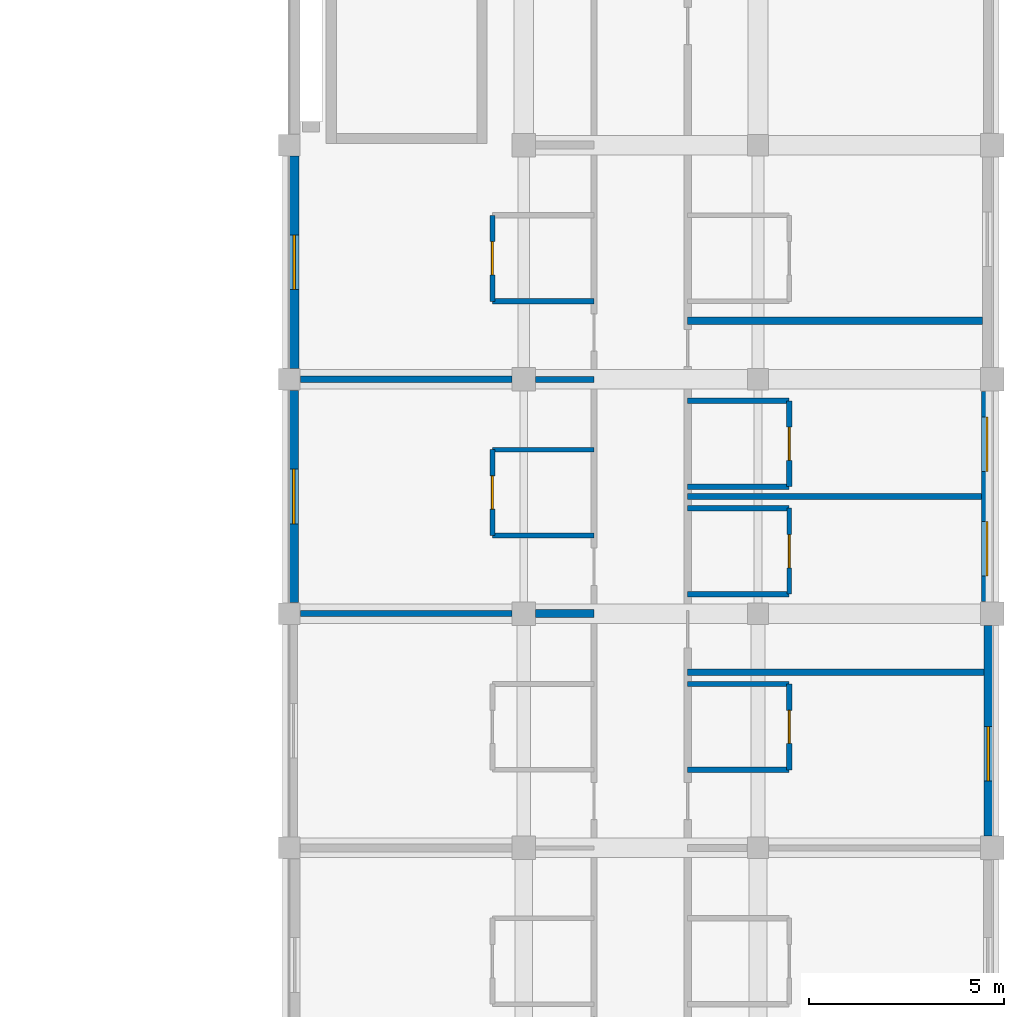
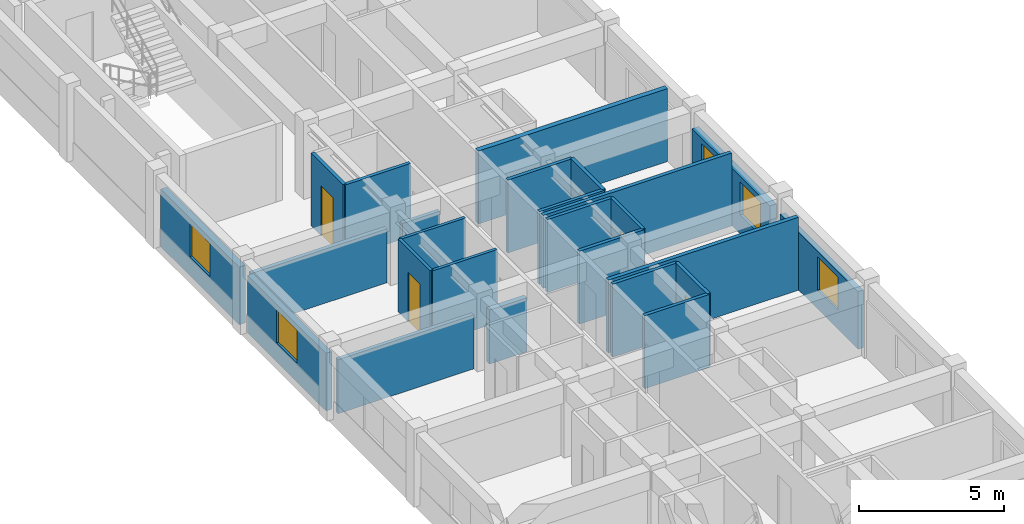
# One storey, part 5 of 22: 25 walls, 5 doors, 5 windows, 10 openings.
"""IFC4 building model written with IfcOpenShell, lengths in metres."""

from ifc_helpers import new_model, si_unit, direction, frame, frame_2d, origin, place, context, subcontext, project, spatial, rectangle, extrude, material, layer, layer_set, type_object, element, fill, save


model = new_model("IFC4")

# Units and contexts
model_context = context("Model", 3, precision=1e-05, world=origin(), true_north=direction((0.0, 1.0)))
body_context = subcontext(model_context, "Body", "Model", "MODEL_VIEW")
ifc_project = project(units=[si_unit("LENGTHUNIT", "METRE"), si_unit("AREAUNIT", "SQUARE_METRE"), si_unit("VOLUMEUNIT", "CUBIC_METRE"), si_unit("PLANEANGLEUNIT", "RADIAN"), si_unit("MASSUNIT", "GRAM", prefix="KILO"), si_unit("THERMODYNAMICTEMPERATUREUNIT", "KELVIN"), si_unit("POWERUNIT", "WATT")], contexts=[model_context])

# Site, building, storey
site_placement = place(None, origin())
site = spatial("IfcSite", under=ifc_project, at=site_placement, CompositionType="ELEMENT")
building_placement = place(site_placement, origin())
building = spatial("IfcBuilding", under=site, at=building_placement, Name="Phaisarnlok Congress Hotel", CompositionType="ELEMENT")
storey_placement = place(building_placement, frame((0.0, 0.0, 28.199951171875)))
storey = spatial("IfcBuildingStorey", under=building, at=storey_placement, Name="L06", CompositionType="ELEMENT", Elevation=28.199951171875)

# Wall, opening, window
ifc_material_1 = material(Name="Concrete C40/50", Category="concrete")
ifc_layer_1 = layer(ifc_material_1, 0.2099609375, Name="Concrete C40/50")
ifc_layer_set_1 = layer_set([ifc_layer_1], Name="Concrete C40/50")
wall_type_1 = type_object("IfcWallType", Name="WL-EXT-210", PredefinedType="SOLIDWALL", material=ifc_layer_set_1)
wall_1_placement = place(storey_placement, frame((179.89501953125, 60.304931640625, 0.0), z_axis=(0.0, 0.0, 1.0), x_axis=(0.0, 1.0, 0.0)))
wall_1 = element("IfcWall", 1, at=wall_1_placement, inside=storey, type_object=wall_type_1, Name="Exterior wall EW-07 (L06)", PredefinedType="SOLIDWALL", context=body_context, shape_type="SweptSolid", body=[
    extrude(rectangle(XDim=5.39013671875, YDim=0.2099609375, at=frame_2d((2.695068359375, 0.0))), origin(), (0.0, 0.0, 1.0), 2.429931640625),
])
opening_1_placement = place(wall_1_placement, frame((1.406982421875, 0.0, 0.800048828125)))
opening_1 = element("IfcOpeningElement", 2, at=opening_1_placement, cuts=wall_1, Name="Opening W-13", PredefinedType="OPENING", context=body_context, shape_type="SweptSolid", body=[
    extrude(rectangle(XDim=1.39990234375, YDim=1.39990234375, at=frame_2d((0.699951171875, 0.699951171875))), frame((0.0, 0.114990234375, 0.0), z_axis=(0.0, -1.0, 0.0), x_axis=(1.0, 0.0, 0.0)), (0.0, 0.0, 1.0), 0.22998046875),
])
ifc_material_2 = material(Name="Thermally Broken Aluminium & Low-E Double Glazing", Category="aluminium")
window_type = type_object("IfcWindowType", Name="WIN-POD-1400", PartitioningType="SINGLE_PANEL", PredefinedType="WINDOW", material=ifc_material_2)
window_1_placement = place(opening_1_placement, origin())
window_1 = element("IfcWindow", 3, at=window_1_placement, inside=storey, type_object=window_type, Name="Guestroom window W-13 (L06)", OverallHeight=1.39990234375, OverallWidth=1.39990234375, PartitioningType="SINGLE_PANEL", PredefinedType="WINDOW", context=body_context, shape_type="SweptSolid", body=[
    extrude(rectangle(XDim=1.39990234375, YDim=1.39990234375, at=frame_2d((0.699951171875, 0.699951171875))), frame((0.0, 0.030029296875, 0.0), z_axis=(0.0, -1.0, 0.0), x_axis=(1.0, 0.0, 0.0)), (0.0, 0.0, 1.0), 0.06005859375),
])
fill(opening_1, window_1)

ifc_layer_2 = layer(ifc_material_1, 0.22998046875, Name="Concrete C40/50")
ifc_layer_set_2 = layer_set([ifc_layer_2], Name="Concrete C40/50")
wall_type_2 = type_object("IfcWallType", Name="WL-EXT-230", PredefinedType="SOLIDWALL", material=ifc_layer_set_2)
wall_2_placement = place(storey_placement, frame((162.114990234375, 71.719970703125, 0.0), z_axis=(0.0, 0.0, 1.0), x_axis=(0.0, -1.0, 0.0)))
wall_2 = element("IfcWall", 4, at=wall_2_placement, inside=storey, type_object=wall_type_2, Name="Exterior wall EW-06 (L06)", PredefinedType="SOLIDWALL", context=body_context, shape_type="SweptSolid", body=[
    extrude(rectangle(XDim=5.43994140625, YDim=0.22998046875, at=frame_2d((2.719970703125, 0.0))), origin(), (0.0, 0.0, 1.0), 2.429931640625),
])
opening_2_placement = place(wall_2_placement, frame((2.02001953125, 0.0, 0.800048828125)))
opening_2 = element("IfcOpeningElement", 5, at=opening_2_placement, cuts=wall_2, Name="Opening W-13", PredefinedType="OPENING", context=body_context, shape_type="SweptSolid", body=[
    extrude(rectangle(XDim=1.39990234375, YDim=1.39990234375, at=frame_2d((0.699951171875, 0.699951171875))), frame((0.0, 0.125, 0.0), z_axis=(0.0, -1.0, 0.0), x_axis=(1.0, 0.0, 0.0)), (0.0, 0.0, 1.0), 0.25),
])
window_2_placement = place(opening_2_placement, origin())
window_2 = element("IfcWindow", 6, at=window_2_placement, inside=storey, type_object=window_type, Name="Guestroom window W-13 (L06)", OverallHeight=1.39990234375, OverallWidth=1.39990234375, PartitioningType="SINGLE_PANEL", PredefinedType="WINDOW", context=body_context, shape_type="SweptSolid", body=[
    extrude(rectangle(XDim=1.39990234375, YDim=1.39990234375, at=frame_2d((0.699951171875, 0.699951171875))), frame((0.0, 0.030029296875, 0.0), z_axis=(0.0, -1.0, 0.0), x_axis=(1.0, 0.0, 0.0)), (0.0, 0.0, 1.0), 0.06005859375),
])
fill(opening_2, window_2)

ifc_layer_3 = layer(ifc_material_1, 0.25, Name="Concrete C40/50")
ifc_layer_set_3 = layer_set([ifc_layer_3], Name="Concrete C40/50")
wall_type_3 = type_object("IfcWallType", Name="WL-EXT-250", PredefinedType="SOLIDWALL", material=ifc_layer_set_3)
wall_3_placement = place(storey_placement, frame((162.125, 77.719970703125, 0.0), z_axis=(0.0, 0.0, 1.0), x_axis=(0.0, -1.0, 0.0)))
wall_3 = element("IfcWall", 7, at=wall_3_placement, inside=storey, type_object=wall_type_3, Name="Exterior wall EW-05 (L06)", PredefinedType="SOLIDWALL", context=body_context, shape_type="SweptSolid", body=[
    extrude(rectangle(XDim=5.43994140625, YDim=0.25, at=frame_2d((2.719970703125, 0.0))), origin(), (0.0, 0.0, 1.0), 2.429931640625),
])
opening_3_placement = place(wall_3_placement, frame((2.02001953125, 0.0, 0.800048828125)))
opening_3 = element("IfcOpeningElement", 8, at=opening_3_placement, cuts=wall_3, Name="Opening W-13", PredefinedType="OPENING", context=body_context, shape_type="SweptSolid", body=[
    extrude(rectangle(XDim=1.39990234375, YDim=1.39990234375, at=frame_2d((0.699951171875, 0.699951171875))), frame((0.0, 0.135009765625, 0.0), z_axis=(0.0, -1.0, 0.0), x_axis=(1.0, 0.0, 0.0)), (0.0, 0.0, 1.0), 0.27001953125),
])
window_3_placement = place(opening_3_placement, origin())
window_3 = element("IfcWindow", 9, at=window_3_placement, inside=storey, type_object=window_type, Name="Guestroom window W-13 (L06)", OverallHeight=1.39990234375, OverallWidth=1.39990234375, PartitioningType="SINGLE_PANEL", PredefinedType="WINDOW", context=body_context, shape_type="SweptSolid", body=[
    extrude(rectangle(XDim=1.39990234375, YDim=1.39990234375, at=frame_2d((0.699951171875, 0.699951171875))), frame((0.0, 0.030029296875, 0.0), z_axis=(0.0, -1.0, 0.0), x_axis=(1.0, 0.0, 0.0)), (0.0, 0.0, 1.0), 0.06005859375),
])
fill(opening_3, window_3)

# Wall, openings, windows
ifc_layer_4 = layer(ifc_material_1, 0.27001953125, Name="Concrete C40/50")
ifc_layer_set_4 = layer_set([ifc_layer_4], Name="Concrete C40/50")
wall_type_4 = type_object("IfcWallType", Name="WL-EXT-270", PredefinedType="SOLIDWALL", material=ifc_layer_set_4)
wall_4_placement = place(storey_placement, frame((179.864990234375, 66.304931640625, 0.0), z_axis=(0.0, 0.0, 1.0), x_axis=(0.0, 1.0, 0.0)))
wall_4 = element("IfcWall", 10, at=wall_4_placement, inside=storey, type_object=wall_type_4, Name="Exterior wall EW-04 (L06)", PredefinedType="SOLIDWALL", context=body_context, shape_type="SweptSolid", body=[
    extrude(rectangle(XDim=5.39013671875, YDim=0.27001953125, at=frame_2d((2.695068359375, 0.0))), origin(), (0.0, 0.0, 1.0), 2.429931640625),
])
opening_4_placement = place(wall_4_placement, frame((0.656982421875, 0.0, 0.800048828125)))
opening_4 = element("IfcOpeningElement", 11, at=opening_4_placement, cuts=wall_4, Name="Opening W-13", PredefinedType="OPENING", context=body_context, shape_type="SweptSolid", body=[
    extrude(rectangle(XDim=1.39990234375, YDim=1.39990234375, at=frame_2d((0.699951171875, 0.699951171875))), frame((0.0, 0.14501953125, 0.0), z_axis=(0.0, -1.0, 0.0), x_axis=(1.0, 0.0, 0.0)), (0.0, 0.0, 1.0), 0.2900390625),
])
opening_5_placement = place(wall_4_placement, frame((3.33203125, 0.0, 0.800048828125)))
opening_5 = element("IfcOpeningElement", 12, at=opening_5_placement, cuts=wall_4, Name="Opening W-13", PredefinedType="OPENING", context=body_context, shape_type="SweptSolid", body=[
    extrude(rectangle(XDim=1.39990234375, YDim=1.39990234375, at=frame_2d((0.699951171875, 0.699951171875))), frame((0.0, 0.14501953125, 0.0), z_axis=(0.0, -1.0, 0.0), x_axis=(1.0, 0.0, 0.0)), (0.0, 0.0, 1.0), 0.2900390625),
])
window_4_placement = place(opening_4_placement, origin())
window_4 = element("IfcWindow", 13, at=window_4_placement, inside=storey, type_object=window_type, Name="Guestroom window W-13 (L06)", OverallHeight=1.39990234375, OverallWidth=1.39990234375, PartitioningType="SINGLE_PANEL", PredefinedType="WINDOW", context=body_context, shape_type="SweptSolid", body=[
    extrude(rectangle(XDim=1.39990234375, YDim=1.39990234375, at=frame_2d((0.699951171875, 0.699951171875))), frame((0.0, 0.030029296875, 0.0), z_axis=(0.0, -1.0, 0.0), x_axis=(1.0, 0.0, 0.0)), (0.0, 0.0, 1.0), 0.06005859375),
])
fill(opening_4, window_4)
window_5_placement = place(opening_5_placement, origin())
window_5 = element("IfcWindow", 14, at=window_5_placement, inside=storey, type_object=window_type, Name="Guestroom window W-13 (L06)", OverallHeight=1.39990234375, OverallWidth=1.39990234375, PartitioningType="SINGLE_PANEL", PredefinedType="WINDOW", context=body_context, shape_type="SweptSolid", body=[
    extrude(rectangle(XDim=1.39990234375, YDim=1.39990234375, at=frame_2d((0.699951171875, 0.699951171875))), frame((0.0, 0.030029296875, 0.0), z_axis=(0.0, -1.0, 0.0), x_axis=(1.0, 0.0, 0.0)), (0.0, 0.0, 1.0), 0.06005859375),
])
fill(opening_5, window_5)

# Wall, opening, door
ifc_material_3 = material(Name="Lightweight Metal-Stud Gypsum Partition", Category="gypsum")
ifc_layer_5 = layer(ifc_material_3, 0.1201171875, Name="Lightweight Metal-Stud Gypsum Partition")
ifc_layer_set_5 = layer_set([ifc_layer_5], Name="Lightweight Metal-Stud Gypsum Partition")
wall_type_5 = type_object("IfcWallType", Name="WL-INT-120", PredefinedType="PARTITIONING", material=ifc_layer_set_5)
wall_5_placement = place(storey_placement, frame((167.199951171875, 68.0, 0.0), z_axis=(0.0, 0.0, 1.0), x_axis=(0.0, 1.0, 0.0)))
wall_5 = element("IfcWall", 15, at=wall_5_placement, inside=storey, type_object=wall_type_5, Name="Interior partition wall IW-07 (L06)", PredefinedType="PARTITIONING", context=body_context, shape_type="SweptSolid", body=[
    extrude(rectangle(XDim=2.199951171875, YDim=0.1201171875, at=frame_2d((1.10009765625, 0.0))), origin(), (0.0, 0.0, 1.0), 3.080078125),
])
opening_6_placement = place(wall_5_placement, frame((0.675048828125, 0.0, 0.0)))
opening_6 = element("IfcOpeningElement", 16, at=opening_6_placement, cuts=wall_5, Name="Opening D-0308", PredefinedType="OPENING", context=body_context, shape_type="SweptSolid", body=[
    extrude(rectangle(XDim=0.85009765625, YDim=2.10009765625, at=frame_2d((0.425048828125, 1.050048828125))), frame((0.0, 0.070068359375, 0.0), z_axis=(0.0, -1.0, 0.0), x_axis=(1.0, 0.0, 0.0)), (0.0, 0.0, 1.0), 0.14013671875),
])
ifc_material_4 = material(Name="Moisture-Resistant Lacquered Timber", Category="wood")
door_type = type_object("IfcDoorType", Name="DR-BATH-850", OperationType="NOTDEFINED", PredefinedType="DOOR", material=ifc_material_4)
door_1_placement = place(opening_6_placement, origin())
door_1 = element("IfcDoor", 17, at=door_1_placement, inside=storey, type_object=door_type, Name="Interior door D-0308 (L06)", OperationType="SINGLE_SWING_LEFT", OverallHeight=2.10009765625, OverallWidth=0.85009765625, PredefinedType="DOOR", context=body_context, shape_type="SweptSolid", body=[
    extrude(rectangle(XDim=0.85009765625, YDim=2.10009765625, at=frame_2d((0.425048828125, 1.050048828125))), frame((0.0, 0.02490234375, 0.0), z_axis=(0.0, -1.0, 0.0), x_axis=(1.0, 0.0, 0.0)), (0.0, 0.0, 1.0), 0.050048828125),
])
fill(opening_6, door_1)

wall_6_placement = place(storey_placement, frame((174.800048828125, 66.5, 0.0), z_axis=(0.0, 0.0, 1.0), x_axis=(0.0, 1.0, 0.0)))
wall_6 = element("IfcWall", 18, at=wall_6_placement, inside=storey, type_object=wall_type_5, Name="Interior partition wall IW-07 (L06)", PredefinedType="PARTITIONING", context=body_context, shape_type="SweptSolid", body=[
    extrude(rectangle(XDim=2.199951171875, YDim=0.1201171875, at=frame_2d((1.10009765625, 0.0))), origin(), (0.0, 0.0, 1.0), 3.080078125),
])
opening_7_placement = place(wall_6_placement, frame((0.675048828125, 0.0, 0.0)))
opening_7 = element("IfcOpeningElement", 19, at=opening_7_placement, cuts=wall_6, Name="Opening D-0283", PredefinedType="OPENING", context=body_context, shape_type="SweptSolid", body=[
    extrude(rectangle(XDim=0.85009765625, YDim=2.10009765625, at=frame_2d((0.425048828125, 1.050048828125))), frame((0.0, 0.070068359375, 0.0), z_axis=(0.0, -1.0, 0.0), x_axis=(1.0, 0.0, 0.0)), (0.0, 0.0, 1.0), 0.14013671875),
])
door_2_placement = place(opening_7_placement, origin())
door_2 = element("IfcDoor", 20, at=door_2_placement, inside=storey, type_object=door_type, Name="Interior door D-0283 (L06)", OperationType="SINGLE_SWING_RIGHT", OverallHeight=2.10009765625, OverallWidth=0.85009765625, PredefinedType="DOOR", context=body_context, shape_type="SweptSolid", body=[
    extrude(rectangle(XDim=0.85009765625, YDim=2.10009765625, at=frame_2d((0.425048828125, 1.050048828125))), frame((0.0, 0.02490234375, 0.0), z_axis=(0.0, -1.0, 0.0), x_axis=(1.0, 0.0, 0.0)), (0.0, 0.0, 1.0), 0.050048828125),
])
fill(opening_7, door_2)

# Walls
for number, where, z_axis, x_axis, name in (
    (21, (167.199951171875, 68.0, 0.0), (0.0, 0.0, 1.0), (1.0, 0.0, 0.0), "Interior partition wall IW-07 (L06)"),
    (22, (167.199951171875, 70.199951171875, 0.0), (0.0, 0.0, 1.0), (1.0, 0.0, 0.0), "Interior partition wall IW-07 (L06)"),
):
    element("IfcWall", number, at=place(storey_placement, frame(where, z_axis=z_axis, x_axis=x_axis)), inside=storey, type_object=wall_type_5, Name=name, PredefinedType="PARTITIONING", context=body_context, shape_type="SweptSolid", body=[
        extrude(rectangle(XDim=2.60009765625, YDim=0.1201171875, at=frame_2d((1.300048828125, 0.0))), origin(), (0.0, 0.0, 1.0), 3.080078125),
    ])

# Wall, opening, door
ifc_material_5 = material(Name="Moisture-Resistant Gypsum Partition", Category="gypsum")
ifc_layer_6 = layer(ifc_material_5, 0.135009765625, Name="Moisture-Resistant Gypsum Partition")
ifc_layer_set_6 = layer_set([ifc_layer_6], Name="Moisture-Resistant Gypsum Partition")
wall_type_6 = type_object("IfcWallType", Name="WL-INT-135", PredefinedType="PARTITIONING", material=ifc_layer_set_6)
wall_7_placement = place(storey_placement, frame((167.199951171875, 74.0, 0.0), z_axis=(0.0, 0.0, 1.0), x_axis=(0.0, 1.0, 0.0)))
wall_7 = element("IfcWall", 23, at=wall_7_placement, inside=storey, type_object=wall_type_6, Name="Interior partition wall IW-06 (L06)", PredefinedType="PARTITIONING", context=body_context, shape_type="SweptSolid", body=[
    extrude(rectangle(XDim=2.199951171875, YDim=0.135009765625, at=frame_2d((1.10009765625, 0.0))), origin(), (0.0, 0.0, 1.0), 3.080078125),
])
opening_8_placement = place(wall_7_placement, frame((0.675048828125, 0.0, 0.0)))
opening_8 = element("IfcOpeningElement", 24, at=opening_8_placement, cuts=wall_7, Name="Opening D-0310", PredefinedType="OPENING", context=body_context, shape_type="SweptSolid", body=[
    extrude(rectangle(XDim=0.85009765625, YDim=2.10009765625, at=frame_2d((0.425048828125, 1.050048828125))), frame((0.0, 0.07763671875, 0.0), z_axis=(0.0, -1.0, 0.0), x_axis=(1.0, 0.0, 0.0)), (0.0, 0.0, 1.0), 0.155029296875),
])
door_3_placement = place(opening_8_placement, origin())
door_3 = element("IfcDoor", 25, at=door_3_placement, inside=storey, type_object=door_type, Name="Interior door D-0310 (L06)", OperationType="SINGLE_SWING_LEFT", OverallHeight=2.10009765625, OverallWidth=0.85009765625, PredefinedType="DOOR", context=body_context, shape_type="SweptSolid", body=[
    extrude(rectangle(XDim=0.85009765625, YDim=2.10009765625, at=frame_2d((0.425048828125, 1.050048828125))), frame((0.0, 0.02490234375, 0.0), z_axis=(0.0, -1.0, 0.0), x_axis=(1.0, 0.0, 0.0)), (0.0, 0.0, 1.0), 0.050048828125),
])
fill(opening_8, door_3)

wall_8_placement = place(storey_placement, frame((174.800048828125, 62.0, 0.0), z_axis=(0.0, 0.0, 1.0), x_axis=(0.0, 1.0, 0.0)))
wall_8 = element("IfcWall", 26, at=wall_8_placement, inside=storey, type_object=wall_type_6, Name="Interior partition wall IW-06 (L06)", PredefinedType="PARTITIONING", context=body_context, shape_type="SweptSolid", body=[
    extrude(rectangle(XDim=2.199951171875, YDim=0.135009765625, at=frame_2d((1.10009765625, 0.0))), origin(), (0.0, 0.0, 1.0), 3.080078125),
])
opening_9_placement = place(wall_8_placement, frame((0.675048828125, 0.0, 0.0)))
opening_9 = element("IfcOpeningElement", 27, at=opening_9_placement, cuts=wall_8, Name="Opening D-0281", PredefinedType="OPENING", context=body_context, shape_type="SweptSolid", body=[
    extrude(rectangle(XDim=0.85009765625, YDim=2.10009765625, at=frame_2d((0.425048828125, 1.050048828125))), frame((0.0, 0.07763671875, 0.0), z_axis=(0.0, -1.0, 0.0), x_axis=(1.0, 0.0, 0.0)), (0.0, 0.0, 1.0), 0.155029296875),
])
door_4_placement = place(opening_9_placement, origin())
door_4 = element("IfcDoor", 28, at=door_4_placement, inside=storey, type_object=door_type, Name="Interior door D-0281 (L06)", OperationType="SINGLE_SWING_RIGHT", OverallHeight=2.10009765625, OverallWidth=0.85009765625, PredefinedType="DOOR", context=body_context, shape_type="SweptSolid", body=[
    extrude(rectangle(XDim=0.85009765625, YDim=2.10009765625, at=frame_2d((0.425048828125, 1.050048828125))), frame((0.0, 0.02490234375, 0.0), z_axis=(0.0, -1.0, 0.0), x_axis=(1.0, 0.0, 0.0)), (0.0, 0.0, 1.0), 0.050048828125),
])
fill(opening_9, door_4)

wall_9_placement = place(storey_placement, frame((174.800048828125, 69.25, 0.0), z_axis=(0.0, 0.0, 1.0), x_axis=(0.0, 1.0, 0.0)))
wall_9 = element("IfcWall", 29, at=wall_9_placement, inside=storey, type_object=wall_type_6, Name="Interior partition wall IW-06 (L06)", PredefinedType="PARTITIONING", context=body_context, shape_type="SweptSolid", body=[
    extrude(rectangle(XDim=2.199951171875, YDim=0.135009765625, at=frame_2d((1.10009765625, 0.0))), origin(), (0.0, 0.0, 1.0), 3.080078125),
])
opening_10_placement = place(wall_9_placement, frame((0.675048828125, 0.0, 0.0)))
opening_10 = element("IfcOpeningElement", 30, at=opening_10_placement, cuts=wall_9, Name="Opening D-0285", PredefinedType="OPENING", context=body_context, shape_type="SweptSolid", body=[
    extrude(rectangle(XDim=0.85009765625, YDim=2.10009765625, at=frame_2d((0.425048828125, 1.050048828125))), frame((0.0, 0.07763671875, 0.0), z_axis=(0.0, -1.0, 0.0), x_axis=(1.0, 0.0, 0.0)), (0.0, 0.0, 1.0), 0.155029296875),
])
door_5_placement = place(opening_10_placement, origin())
door_5 = element("IfcDoor", 31, at=door_5_placement, inside=storey, type_object=door_type, Name="Interior door D-0285 (L06)", OperationType="SINGLE_SWING_RIGHT", OverallHeight=2.10009765625, OverallWidth=0.85009765625, PredefinedType="DOOR", context=body_context, shape_type="SweptSolid", body=[
    extrude(rectangle(XDim=0.85009765625, YDim=2.10009765625, at=frame_2d((0.425048828125, 1.050048828125))), frame((0.0, 0.02490234375, 0.0), z_axis=(0.0, -1.0, 0.0), x_axis=(1.0, 0.0, 0.0)), (0.0, 0.0, 1.0), 0.050048828125),
])
fill(opening_10, door_5)

# Walls
for number, where, z_axis, x_axis, name in (
    (32, (172.199951171875, 62.0, 0.0), (0.0, 0.0, 1.0), (1.0, 0.0, 0.0), "Interior partition wall IW-06 (L06)"),
    (33, (172.199951171875, 64.199951171875, 0.0), (0.0, 0.0, 1.0), (1.0, 0.0, 0.0), "Interior partition wall IW-06 (L06)"),
    (34, (172.199951171875, 66.5, 0.0), (0.0, 0.0, 1.0), (1.0, 0.0, 0.0), "Interior partition wall IW-06 (L06)"),
    (35, (172.199951171875, 68.699951171875, 0.0), (0.0, 0.0, 1.0), (1.0, 0.0, 0.0), "Interior partition wall IW-06 (L06)"),
    (36, (172.199951171875, 69.25, 0.0), (0.0, 0.0, 1.0), (1.0, 0.0, 0.0), "Interior partition wall IW-06 (L06)"),
    (37, (172.199951171875, 71.449951171875, 0.0), (0.0, 0.0, 1.0), (1.0, 0.0, 0.0), "Interior partition wall IW-06 (L06)"),
    (38, (167.199951171875, 74.0, 0.0), (0.0, 0.0, 1.0), (1.0, 0.0, 0.0), "Interior partition wall IW-06 (L06)"),
):
    element("IfcWall", number, at=place(storey_placement, frame(where, z_axis=z_axis, x_axis=x_axis)), inside=storey, type_object=wall_type_6, Name=name, PredefinedType="PARTITIONING", context=body_context, shape_type="SweptSolid", body=[
        extrude(rectangle(XDim=2.60009765625, YDim=0.135009765625, at=frame_2d((1.300048828125, 0.0))), origin(), (0.0, 0.0, 1.0), 3.080078125),
    ])
ifc_material_6 = material(Name="Acoustic Gypsum Board & Mineral Wool", Category="gypsum")
ifc_layer_7 = layer(ifc_material_6, 0.14990234375, Name="Acoustic Gypsum Board & Mineral Wool")
ifc_layer_set_7 = layer_set([ifc_layer_7], Name="Acoustic Gypsum Board & Mineral Wool")
wall_type_7 = type_object("IfcWallType", Name="WL-INT-150", PredefinedType="PARTITIONING", material=ifc_layer_set_7)
wall_10_placement = place(storey_placement, frame((162.280029296875, 66.0, 0.0), z_axis=(0.0, 0.0, 1.0), x_axis=(1.0, 0.0, 0.0)))
element("IfcWall", 39, at=wall_10_placement, inside=storey, type_object=wall_type_7, Name="Interior partition wall IW-05 (L06)", PredefinedType="PARTITIONING", context=body_context, shape_type="SweptSolid", body=[
    extrude(rectangle(XDim=5.4150390625, YDim=0.14990234375, at=frame_2d((2.70751953125, 0.0))), origin(), (0.0, 0.0, 1.0), 2.280029296875),
])
wall_11_placement = place(storey_placement, frame((172.199951171875, 69.0, 0.0), z_axis=(0.0, 0.0, 1.0), x_axis=(1.0, 0.0, 0.0)))
element("IfcWall", 40, at=wall_11_placement, inside=storey, type_object=wall_type_7, Name="Interior partition wall IW-05 (L06)", PredefinedType="PARTITIONING", context=body_context, shape_type="SweptSolid", body=[
    extrude(rectangle(XDim=7.525146484375, YDim=0.14990234375, at=frame_2d((3.7626953125, 0.0))), origin(), (0.0, 0.0, 1.0), 3.080078125),
])
wall_12_placement = place(storey_placement, frame((168.304931640625, 72.0, 0.0), z_axis=(0.0, 0.0, 1.0), x_axis=(1.0, 0.0, 0.0)))
element("IfcWall", 41, at=wall_12_placement, inside=storey, type_object=wall_type_7, Name="Interior partition wall IW-05 (L06)", PredefinedType="PARTITIONING", context=body_context, shape_type="SweptSolid", body=[
    extrude(rectangle(XDim=1.4951171875, YDim=0.14990234375, at=frame_2d((0.74755859375, 0.0))), origin(), (0.0, 0.0, 1.0), 2.280029296875),
])
ifc_material_7 = material(Name="Double-Stud Acoustic Gypsum Partition", Category="gypsum")
ifc_layer_8 = layer(ifc_material_7, 0.159912109375, Name="Double-Stud Acoustic Gypsum Partition")
ifc_layer_set_8 = layer_set([ifc_layer_8], Name="Double-Stud Acoustic Gypsum Partition")
wall_type_8 = type_object("IfcWallType", Name="WL-INT-160", PredefinedType="PARTITIONING", material=ifc_layer_set_8)
wall_13_placement = place(storey_placement, frame((172.199951171875, 64.5, 0.0), z_axis=(0.0, 0.0, 1.0), x_axis=(1.0, 0.0, 0.0)))
element("IfcWall", 42, at=wall_13_placement, inside=storey, type_object=wall_type_8, Name="Interior partition wall IW-04 (L06)", PredefinedType="PARTITIONING", context=body_context, shape_type="SweptSolid", body=[
    extrude(rectangle(XDim=7.5849609375, YDim=0.159912109375, at=frame_2d((3.79248046875, 0.0))), origin(), (0.0, 0.0, 1.0), 3.080078125),
])
wall_14_placement = place(storey_placement, frame((162.280029296875, 72.0, 0.0), z_axis=(0.0, 0.0, 1.0), x_axis=(1.0, 0.0, 0.0)))
element("IfcWall", 43, at=wall_14_placement, inside=storey, type_object=wall_type_8, Name="Interior partition wall IW-04 (L06)", PredefinedType="PARTITIONING", context=body_context, shape_type="SweptSolid", body=[
    extrude(rectangle(XDim=5.4150390625, YDim=0.159912109375, at=frame_2d((2.70751953125, 0.0))), origin(), (0.0, 0.0, 1.0), 2.280029296875),
])
ifc_material_8 = material(Name="Autoclaved Aerated Concrete Block", Category="concrete")
ifc_layer_9 = layer(ifc_material_8, 0.199951171875, Name="Autoclaved Aerated Concrete Block")
ifc_layer_set_9 = layer_set([ifc_layer_9], Name="Autoclaved Aerated Concrete Block")
wall_type_9 = type_object("IfcWallType", Name="WL-INT-200", PredefinedType="PARTITIONING", material=ifc_layer_set_9)
wall_15_placement = place(storey_placement, frame((168.304931640625, 66.0, 0.0), z_axis=(0.0, 0.0, 1.0), x_axis=(1.0, 0.0, 0.0)))
element("IfcWall", 44, at=wall_15_placement, inside=storey, type_object=wall_type_9, Name="Interior partition wall IW-02 (L06)", PredefinedType="PARTITIONING", context=body_context, shape_type="SweptSolid", body=[
    extrude(rectangle(XDim=1.4951171875, YDim=0.199951171875, at=frame_2d((0.74755859375, 0.0))), origin(), (0.0, 0.0, 1.0), 2.280029296875),
])
wall_16_placement = place(storey_placement, frame((172.199951171875, 73.5, 0.0), z_axis=(0.0, 0.0, 1.0), x_axis=(1.0, 0.0, 0.0)))
element("IfcWall", 45, at=wall_16_placement, inside=storey, type_object=wall_type_9, Name="Interior partition wall IW-02 (L06)", PredefinedType="PARTITIONING", context=body_context, shape_type="SweptSolid", body=[
    extrude(rectangle(XDim=7.545166015625, YDim=0.199951171875, at=frame_2d((3.7724609375, 0.0))), origin(), (0.0, 0.0, 1.0), 3.080078125),
])

save(model, "model.ifc")
